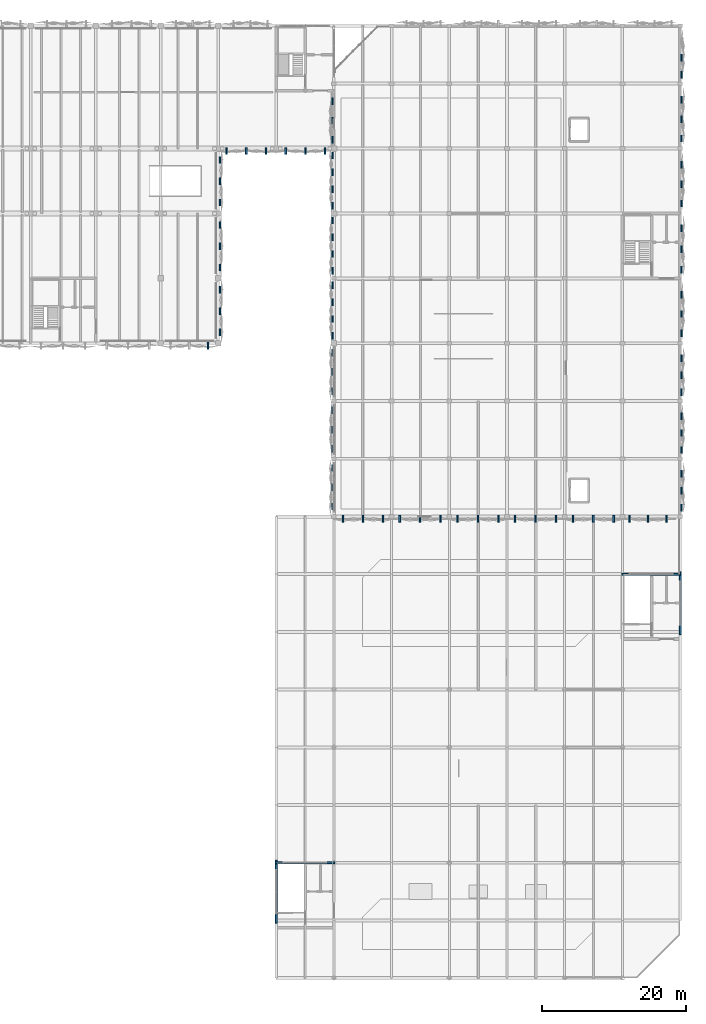
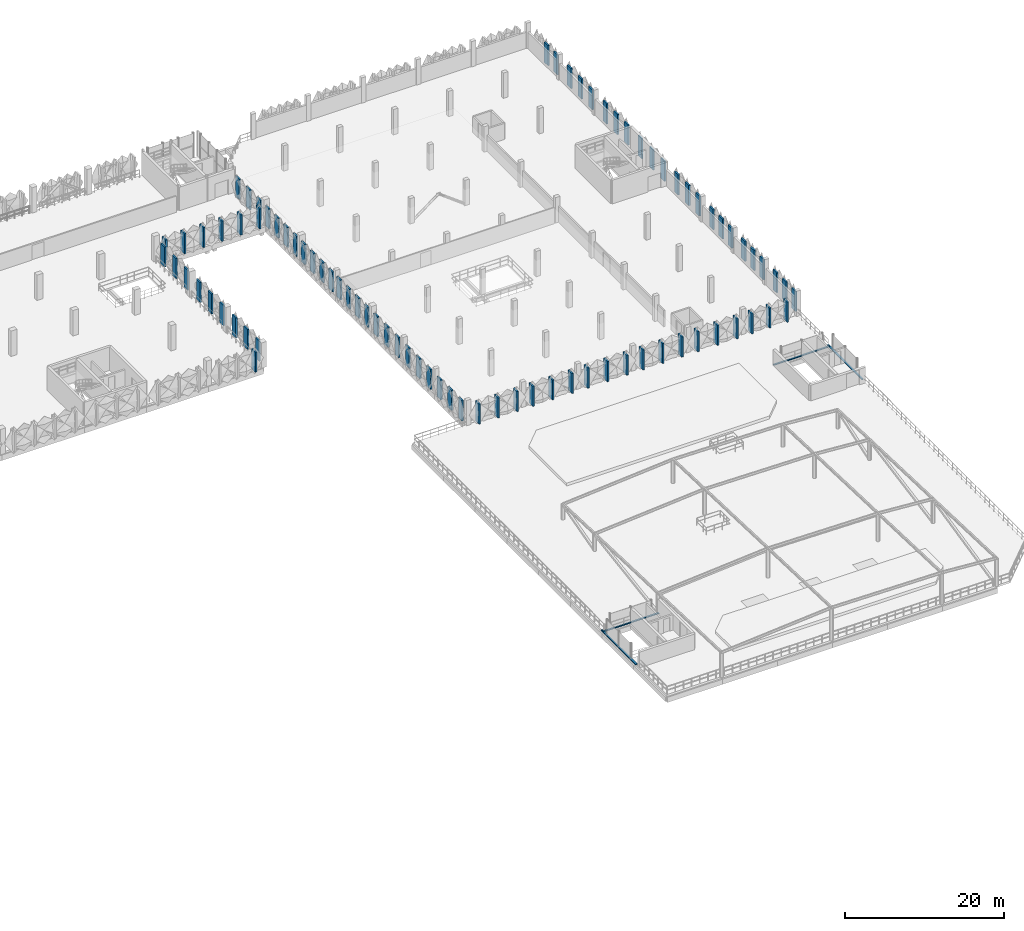
# One storey, part 48 of 76: 85 discrete accessories.
"""IFC4 building model written with IfcOpenShell, lengths in metres."""

from ifc_helpers import new_model, si_unit, derived_unit, direction, frame, origin, origin_2d, place, context, subcontext, project, spatial, rectangle, extrude, material, type_object, element, save


model = new_model("IFC4")

# Units and contexts
model_context = context("Model", 3, precision=1e-05, world=origin(), true_north=direction((0.0, 1.0)))
body_context = subcontext(model_context, "Body", "Model", "MODEL_VIEW")
ifc_project = project(units=[si_unit("LENGTHUNIT", "METRE"), si_unit("AREAUNIT", "SQUARE_METRE"), si_unit("VOLUMEUNIT", "CUBIC_METRE"), si_unit("PLANEANGLEUNIT", "RADIAN"), si_unit("MASSUNIT", "GRAM", prefix="KILO"), si_unit("THERMODYNAMICTEMPERATUREUNIT", "KELVIN"), derived_unit("THERMALTRANSMITTANCEUNIT", [(si_unit("POWERUNIT", "WATT"), 1), (si_unit("AREAUNIT", "SQUARE_METRE"), -1), (si_unit("THERMODYNAMICTEMPERATUREUNIT", "KELVIN"), -1)])], contexts=[model_context])

# Site, building, storey
site_placement = place(None, origin())
site = spatial("IfcSite", under=ifc_project, at=site_placement, CompositionType="ELEMENT")
building_placement = place(site_placement, origin())
building = spatial("IfcBuilding", under=site, at=building_placement, Name="Haiyu Intermodal Mobility Hub", CompositionType="ELEMENT")
storey_placement = place(building_placement, frame((0.0, 0.0, 17.300048828125)))
storey = spatial("IfcBuildingStorey", under=building, at=storey_placement, Name="L04", CompositionType="ELEMENT", Elevation=17.300048828125)

# Discrete accessories
ifc_material = material(Name="Steel Q355C", Category="steel")
discrete_accessory_type = type_object("IfcDiscreteAccessoryType", Name="ACC-BK02", PredefinedType="BRACKET", material=ifc_material)
for number, where, z_axis, x_axis, name in (
    (1, (146.199951171875, 105.512939453125, 0.0498046875), (0.0, 0.0, 1.0), (1.0, 0.0, 0.0), "BRK-PYR-0707"),
    (2, (146.199951171875, 108.4599609375, 0.0498046875), (0.0, 0.0, 1.0), (1.0, 0.0, 0.0), "BRK-PYR-0710"),
    (3, (146.199951171875, 111.406982421875, 0.0498046875), (0.0, 0.0, 1.0), (1.0, 0.0, 0.0), "BRK-PYR-0711"),
    (4, (146.199951171875, 114.512939453125, 0.0498046875), (0.0, 0.0, 1.0), (1.0, 0.0, 0.0), "BRK-PYR-0714"),
    (5, (146.199951171875, 117.4599609375, 0.0498046875), (0.0, 0.0, 1.0), (1.0, 0.0, 0.0), "BRK-PYR-0717"),
    (6, (146.199951171875, 120.406982421875, 0.0498046875), (0.0, 0.0, 1.0), (1.0, 0.0, 0.0), "BRK-PYR-0718"),
    (7, (146.199951171875, 123.512939453125, 0.0498046875), (0.0, 0.0, 1.0), (1.0, 0.0, 0.0), "BRK-PYR-0721"),
    (8, (146.199951171875, 126.4599609375, 0.0498046875), (0.0, 0.0, 1.0), (1.0, 0.0, 0.0), "BRK-PYR-0724"),
    (9, (146.199951171875, 129.406982421875, 0.0498046875), (0.0, 0.0, 1.0), (1.0, 0.0, 0.0), "BRK-PYR-0725"),
    (10, (144.572998046875, 103.659912109375, 0.0498046875), (0.0, 0.0, 1.0), (1.0, 0.0, 0.0), "BRK-PYR-1007"),
    (11, (210.199951171875, 81.212890625, 0.0498046875), (0.0, 0.0, 1.0), (1.0, 0.0, 0.0), "BRK-PYR-1276"),
    (12, (210.199951171875, 83.56005859375, 0.0498046875), (0.0, 0.0, 1.0), (1.0, 0.0, 0.0), "BRK-PYR-1279"),
    (13, (210.199951171875, 85.906982421875, 0.0498046875), (0.0, 0.0, 1.0), (1.0, 0.0, 0.0), "BRK-PYR-1280"),
    (14, (210.199951171875, 89.212890625, 0.0498046875), (0.0, 0.0, 1.0), (1.0, 0.0, 0.0), "BRK-PYR-1283"),
    (15, (210.199951171875, 91.56005859375, 0.0498046875), (0.0, 0.0, 1.0), (1.0, 0.0, 0.0), "BRK-PYR-1286"),
    (16, (210.199951171875, 93.906982421875, 0.0498046875), (0.0, 0.0, 1.0), (1.0, 0.0, 0.0), "BRK-PYR-1287"),
    (17, (210.199951171875, 97.212890625, 0.0498046875), (0.0, 0.0, 1.0), (1.0, 0.0, 0.0), "BRK-PYR-1290"),
    (18, (210.199951171875, 99.56005859375, 0.0498046875), (0.0, 0.0, 1.0), (1.0, 0.0, 0.0), "BRK-PYR-1293"),
    (19, (210.199951171875, 101.906982421875, 0.0498046875), (0.0, 0.0, 1.0), (1.0, 0.0, 0.0), "BRK-PYR-1294"),
    (20, (210.199951171875, 105.3798828125, 0.0498046875), (0.0, 0.0, 1.0), (1.0, 0.0, 0.0), "BRK-PYR-1297"),
    (21, (210.199951171875, 108.06005859375, 0.0498046875), (0.0, 0.0, 1.0), (1.0, 0.0, 0.0), "BRK-PYR-1300"),
    (22, (210.199951171875, 110.739990234375, 0.0498046875), (0.0, 0.0, 1.0), (1.0, 0.0, 0.0), "BRK-PYR-1301"),
    (23, (210.199951171875, 123.3798828125, 0.0498046875), (0.0, 0.0, 1.0), (1.0, 0.0, 0.0), "BRK-PYR-1304"),
    (24, (210.199951171875, 126.06005859375, 0.0498046875), (0.0, 0.0, 1.0), (1.0, 0.0, 0.0), "BRK-PYR-1307"),
    (25, (210.199951171875, 128.739990234375, 0.0498046875), (0.0, 0.0, 1.0), (1.0, 0.0, 0.0), "BRK-PYR-1308"),
    (26, (210.199951171875, 132.3798828125, 0.0498046875), (0.0, 0.0, 1.0), (1.0, 0.0, 0.0), "BRK-PYR-1311"),
    (27, (210.199951171875, 135.06005859375, 0.0498046875), (0.0, 0.0, 1.0), (1.0, 0.0, 0.0), "BRK-PYR-1314"),
    (28, (210.199951171875, 137.739990234375, 0.0498046875), (0.0, 0.0, 1.0), (1.0, 0.0, 0.0), "BRK-PYR-1315"),
    (29, (210.199951171875, 141.212890625, 0.0498046875), (0.0, 0.0, 1.0), (1.0, 0.0, 0.0), "BRK-PYR-1318"),
    (30, (210.199951171875, 143.56005859375, 0.0498046875), (0.0, 0.0, 1.0), (1.0, 0.0, 0.0), "BRK-PYR-1321"),
):
    element("IfcDiscreteAccessory", number, at=place(storey_placement, frame(where, z_axis=z_axis, x_axis=x_axis)), inside=storey, type_object=discrete_accessory_type, Name=name, PredefinedType="BRACKET", context=body_context, shape_type="SweptSolid", body=[
        extrude(rectangle(XDim=0.219970703125, YDim=0.949951171875, at=origin_2d()), origin(), (0.0, 0.0, 1.0), 3.10009765625),
    ])
discrete_accessory_1_placement = place(storey_placement, frame((158.0, 32.0, -0.02978515625), z_axis=(0.0, 0.0, 1.0), x_axis=(1.0, 0.0, 0.0)))
element("IfcDiscreteAccessory", 31, at=discrete_accessory_1_placement, inside=storey, type_object=discrete_accessory_type, Name="BRK-CPAR-C8-N", PredefinedType="BRACKET", context=body_context, shape_type="SweptSolid", body=[
    extrude(rectangle(XDim=8.199951171875, YDim=0.239990234375, at=origin_2d()), origin(), (0.0, 0.0, 1.0), 0.139892578125),
])
for number, where, z_axis, x_axis, name in (
    (32, (154.0, 27.97509765625, -0.02978515625), (0.0, 0.0, 1.0), (1.0, 0.0, 0.0), "BRK-CPAR-C8-W"),
    (33, (210.0, 67.97509765625, -0.02978515625), (0.0, 0.0, 1.0), (1.0, 0.0, 0.0), "BRK-CPAR-C9-E"),
):
    element("IfcDiscreteAccessory", number, at=place(storey_placement, frame(where, z_axis=z_axis, x_axis=x_axis)), inside=storey, type_object=discrete_accessory_type, Name=name, PredefinedType="BRACKET", context=body_context, shape_type="SweptSolid", body=[
        extrude(rectangle(XDim=0.239990234375, YDim=8.75, at=origin_2d()), origin(), (0.0, 0.0, 1.0), 0.139892578125),
    ])
discrete_accessory_2_placement = place(storey_placement, frame((206.0, 72.0, -0.02978515625), z_axis=(0.0, 0.0, 1.0), x_axis=(1.0, 0.0, 0.0)))
element("IfcDiscreteAccessory", 34, at=discrete_accessory_2_placement, inside=storey, type_object=discrete_accessory_type, Name="BRK-CPAR-C9-N", PredefinedType="BRACKET", context=body_context, shape_type="SweptSolid", body=[
    extrude(rectangle(XDim=8.199951171875, YDim=0.239990234375, at=origin_2d()), origin(), (0.0, 0.0, 1.0), 0.139892578125),
])
for number, where, z_axis, x_axis, name in (
    (35, (210.199951171875, 114.193115234375, 0.0498046875), (0.0, 0.0, 1.0), (1.0, 0.0, 0.0), "BRK-PYR-1411"),
    (36, (210.199951171875, 117.06005859375, 0.0498046875), (0.0, 0.0, 1.0), (1.0, 0.0, 0.0), "BRK-PYR-1414"),
    (37, (210.199951171875, 119.927001953125, 0.0498046875), (0.0, 0.0, 1.0), (1.0, 0.0, 0.0), "BRK-PYR-1415"),
    (38, (163.29296875, 79.659912109375, 0.0498046875), (0.0, 0.0, 1.0), (1.0, 0.0, 0.0), "BRK-PYR-1868"),
    (39, (166.06005859375, 79.659912109375, 0.0498046875), (0.0, 0.0, 1.0), (1.0, 0.0, 0.0), "BRK-PYR-1871"),
    (40, (168.826904296875, 79.659912109375, 0.0498046875), (0.0, 0.0, 1.0), (1.0, 0.0, 0.0), "BRK-PYR-1872"),
    (41, (171.126953125, 79.659912109375, 0.0498046875), (0.0, 0.0, 1.0), (1.0, 0.0, 0.0), "BRK-PYR-1875"),
    (42, (173.9599609375, 79.659912109375, 0.0498046875), (0.0, 0.0, 1.0), (1.0, 0.0, 0.0), "BRK-PYR-1878"),
    (43, (176.79296875, 79.659912109375, 0.0498046875), (0.0, 0.0, 1.0), (1.0, 0.0, 0.0), "BRK-PYR-1879"),
    (44, (179.126953125, 79.659912109375, 0.0498046875), (0.0, 0.0, 1.0), (1.0, 0.0, 0.0), "BRK-PYR-1882"),
    (45, (181.9599609375, 79.659912109375, 0.0498046875), (0.0, 0.0, 1.0), (1.0, 0.0, 0.0), "BRK-PYR-1885"),
    (46, (184.79296875, 79.659912109375, 0.0498046875), (0.0, 0.0, 1.0), (1.0, 0.0, 0.0), "BRK-PYR-1886"),
    (47, (187.126953125, 79.659912109375, 0.0498046875), (0.0, 0.0, 1.0), (1.0, 0.0, 0.0), "BRK-PYR-1889"),
    (48, (189.9599609375, 79.659912109375, 0.0498046875), (0.0, 0.0, 1.0), (1.0, 0.0, 0.0), "BRK-PYR-1892"),
    (49, (192.79296875, 79.659912109375, 0.0498046875), (0.0, 0.0, 1.0), (1.0, 0.0, 0.0), "BRK-PYR-1893"),
    (50, (195.126953125, 79.659912109375, 0.0498046875), (0.0, 0.0, 1.0), (1.0, 0.0, 0.0), "BRK-PYR-1896"),
    (51, (197.9599609375, 79.659912109375, 0.0498046875), (0.0, 0.0, 1.0), (1.0, 0.0, 0.0), "BRK-PYR-1899"),
    (52, (200.79296875, 79.659912109375, 0.0498046875), (0.0, 0.0, 1.0), (1.0, 0.0, 0.0), "BRK-PYR-1900"),
    (53, (202.992919921875, 79.659912109375, 0.0498046875), (0.0, 0.0, 1.0), (1.0, 0.0, 0.0), "BRK-PYR-1903"),
    (54, (205.56005859375, 79.659912109375, 0.0498046875), (0.0, 0.0, 1.0), (1.0, 0.0, 0.0), "BRK-PYR-1906"),
    (55, (208.126953125, 79.659912109375, 0.0498046875), (0.0, 0.0, 1.0), (1.0, 0.0, 0.0), "BRK-PYR-1907"),
    (56, (161.800048828125, 112.028076171875, 0.0498046875), (0.0, 0.0, 1.0), (1.0, 0.0, 0.0), "BRK-PYR-1984"),
    (57, (161.800048828125, 109.701904296875, 0.0498046875), (0.0, 0.0, 1.0), (1.0, 0.0, 0.0), "BRK-PYR-1987"),
    (58, (161.800048828125, 107.3779296875, 0.0498046875), (0.0, 0.0, 1.0), (1.0, 0.0, 0.0), "BRK-PYR-1990"),
    (59, (161.800048828125, 105.052001953125, 0.0498046875), (0.0, 0.0, 1.0), (1.0, 0.0, 0.0), "BRK-PYR-1991"),
    (60, (161.800048828125, 121.028076171875, 0.0498046875), (0.0, 0.0, 1.0), (1.0, 0.0, 0.0), "BRK-PYR-1994"),
    (61, (161.800048828125, 118.701904296875, 0.0498046875), (0.0, 0.0, 1.0), (1.0, 0.0, 0.0), "BRK-PYR-1997"),
    (62, (161.800048828125, 116.3779296875, 0.0498046875), (0.0, 0.0, 1.0), (1.0, 0.0, 0.0), "BRK-PYR-2000"),
    (63, (161.800048828125, 114.052001953125, 0.0498046875), (0.0, 0.0, 1.0), (1.0, 0.0, 0.0), "BRK-PYR-2001"),
    (64, (161.800048828125, 130.028076171875, 0.0498046875), (0.0, 0.0, 1.0), (1.0, 0.0, 0.0), "BRK-PYR-2004"),
    (65, (161.800048828125, 127.701904296875, 0.0498046875), (0.0, 0.0, 1.0), (1.0, 0.0, 0.0), "BRK-PYR-2007"),
    (66, (161.800048828125, 125.3779296875, 0.0498046875), (0.0, 0.0, 1.0), (1.0, 0.0, 0.0), "BRK-PYR-2010"),
    (67, (161.800048828125, 123.052001953125, 0.0498046875), (0.0, 0.0, 1.0), (1.0, 0.0, 0.0), "BRK-PYR-2011"),
    (68, (161.800048828125, 137.556884765625, 0.0498046875), (0.0, 0.0, 1.0), (1.0, 0.0, 0.0), "BRK-PYR-2014"),
    (69, (161.800048828125, 134.889892578125, 0.0498046875), (0.0, 0.0, 1.0), (1.0, 0.0, 0.0), "BRK-PYR-2017"),
    (70, (161.800048828125, 132.222900390625, 0.0498046875), (0.0, 0.0, 1.0), (1.0, 0.0, 0.0), "BRK-PYR-2018"),
    (71, (161.800048828125, 86.70703125, 0.0498046875), (0.0, 0.0, 1.0), (1.0, 0.0, 0.0), "BRK-PYR-2150"),
    (72, (161.800048828125, 84.0400390625, 0.0498046875), (0.0, 0.0, 1.0), (1.0, 0.0, 0.0), "BRK-PYR-2153"),
    (73, (161.800048828125, 81.373046875, 0.0498046875), (0.0, 0.0, 1.0), (1.0, 0.0, 0.0), "BRK-PYR-2154"),
    (74, (161.800048828125, 94.70703125, 0.0498046875), (0.0, 0.0, 1.0), (1.0, 0.0, 0.0), "BRK-PYR-2157"),
    (75, (161.800048828125, 92.0400390625, 0.0498046875), (0.0, 0.0, 1.0), (1.0, 0.0, 0.0), "BRK-PYR-2160"),
    (76, (161.800048828125, 89.373046875, 0.0498046875), (0.0, 0.0, 1.0), (1.0, 0.0, 0.0), "BRK-PYR-2161"),
    (77, (161.800048828125, 102.70703125, 0.0498046875), (0.0, 0.0, 1.0), (1.0, 0.0, 0.0), "BRK-PYR-2164"),
    (78, (161.800048828125, 100.0400390625, 0.0498046875), (0.0, 0.0, 1.0), (1.0, 0.0, 0.0), "BRK-PYR-2167"),
    (79, (161.800048828125, 97.373046875, 0.0498046875), (0.0, 0.0, 1.0), (1.0, 0.0, 0.0), "BRK-PYR-2168"),
    (80, (147.126953125, 130.659912109375, 0.0498046875), (0.0, 0.0, 1.0), (1.0, 0.0, 0.0), "BRK-PYR-2405"),
    (81, (149.860107421875, 130.659912109375, 0.0498046875), (0.0, 0.0, 1.0), (1.0, 0.0, 0.0), "BRK-PYR-2408"),
    (82, (152.593017578125, 130.659912109375, 0.0498046875), (0.0, 0.0, 1.0), (1.0, 0.0, 0.0), "BRK-PYR-2411"),
    (83, (155.326904296875, 130.659912109375, 0.0498046875), (0.0, 0.0, 1.0), (1.0, 0.0, 0.0), "BRK-PYR-2414"),
    (84, (158.06005859375, 130.659912109375, 0.0498046875), (0.0, 0.0, 1.0), (1.0, 0.0, 0.0), "BRK-PYR-2417"),
    (85, (160.79296875, 130.659912109375, 0.0498046875), (0.0, 0.0, 1.0), (1.0, 0.0, 0.0), "BRK-PYR-2418"),
):
    element("IfcDiscreteAccessory", number, at=place(storey_placement, frame(where, z_axis=z_axis, x_axis=x_axis)), inside=storey, type_object=discrete_accessory_type, Name=name, PredefinedType="BRACKET", context=body_context, shape_type="SweptSolid", body=[
        extrude(rectangle(XDim=0.219970703125, YDim=0.949951171875, at=origin_2d()), origin(), (0.0, 0.0, 1.0), 3.10009765625),
    ])

save(model, "model.ifc")
